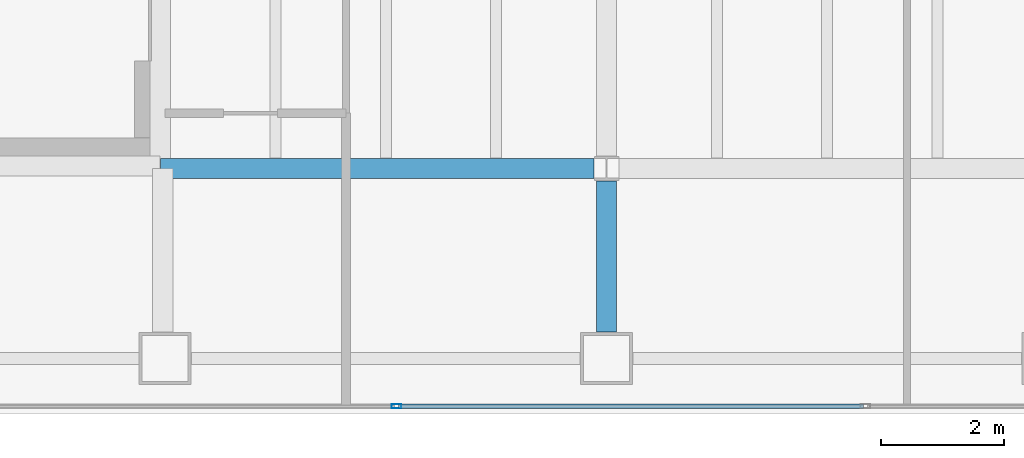
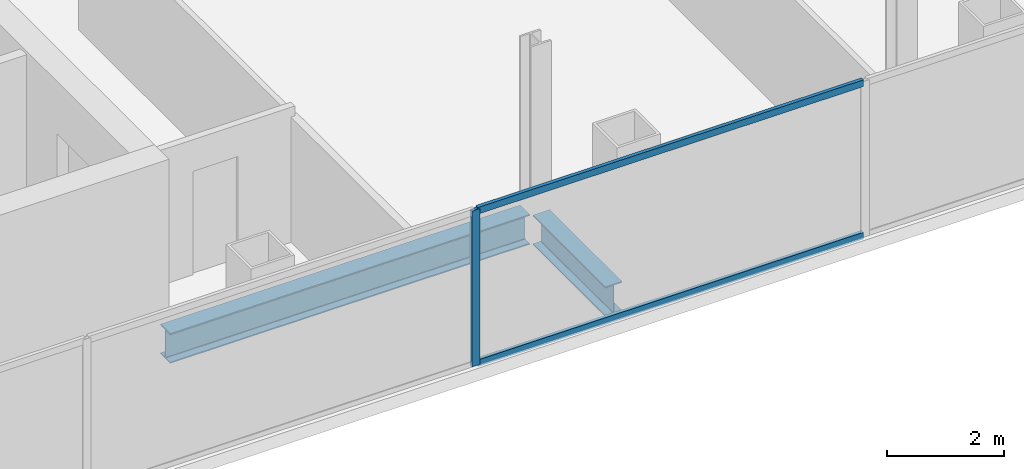
# One storey, part 4 of 23: 3 members, 2 beams, 1 element without a shape of its own.
"""IFC4 building model written with IfcOpenShell, lengths in metres."""

from ifc_helpers import new_model, si_unit, direction, frame, origin, origin_2d, place, context, subcontext, project, spatial, hollow_rectangle, i_section, extrude, material, material_profile, profile_set, type_object, element, aggregate, save


model = new_model("IFC4")

# Units and contexts
model_context = context("Model", 3, precision=1e-05, world=origin(), true_north=direction((0.0, 1.0)))
body_context = subcontext(model_context, "Body", "Model", "MODEL_VIEW")
ifc_project = project(units=[si_unit("LENGTHUNIT", "METRE"), si_unit("AREAUNIT", "SQUARE_METRE"), si_unit("VOLUMEUNIT", "CUBIC_METRE"), si_unit("PLANEANGLEUNIT", "RADIAN"), si_unit("MASSUNIT", "GRAM", prefix="KILO")], contexts=[model_context])

# Site, building, storey
site_placement = place(None, origin())
site = spatial("IfcSite", under=ifc_project, at=site_placement, CompositionType="ELEMENT")
building_placement = place(site_placement, origin())
building = spatial("IfcBuilding", under=site, at=building_placement, Name="Cobrela Telecom Tower", CompositionType="ELEMENT")
storey_placement = place(building_placement, frame((0.0, 0.0, 183.75)))
storey = spatial("IfcBuildingStorey", under=building, at=storey_placement, Name="L46", CompositionType="ELEMENT", Elevation=183.75)

# Beams
ifc_material_1 = material(Name="Steel ASTM A992 Grade 50", Category="steel")
ifc_material_profile_1 = material_profile(ifc_material_1, i_section(OverallWidth=0.327880859375, OverallDepth=0.6220703125, WebThickness=0.015380859375, FlangeThickness=0.0244140625, FilletRadius=0.014892578125, at=origin_2d()), Name="W24X131")
ifc_profile_set_1 = profile_set([ifc_material_profile_1], Name="Steel ASTM A992 Grade 50")
beam_type = type_object("IfcBeamType", Name="BM-GIRD-06", PredefinedType="USERDEFINED", material=ifc_profile_set_1)
beam_1_placement = place(storey_placement, frame((14.324951171875, 7.199951171875, -0.571044921875), z_axis=(1.0, 0.0, 0.0), x_axis=(0.0, 1.0, 0.0)))
element("IfcBeam", 1, at=beam_1_placement, inside=storey, type_object=beam_type, Name="L46 Primary Girder X07", ObjectType="GIRDER", PredefinedType="USERDEFINED", context=body_context, shape_type="SweptSolid", body=[
    extrude(i_section(OverallWidth=0.327880859375, OverallDepth=0.6220703125, WebThickness=0.015380859375, FlangeThickness=0.0244140625, FilletRadius=0.014892578125, at=origin_2d()), origin(), (0.0, 0.0, 1.0), 7.070556640625),
])
beam_2_placement = place(storey_placement, frame((21.60009765625, 4.530029296875, -0.571044921875), z_axis=(0.0, 1.0, 0.0), x_axis=(-1.0, 0.0, 0.0)))
element("IfcBeam", 2, at=beam_2_placement, inside=storey, type_object=beam_type, Name="L46 Primary Girder Y32", ObjectType="GIRDER", PredefinedType="USERDEFINED", context=body_context, shape_type="SweptSolid", body=[
    extrude(i_section(OverallWidth=0.327880859375, OverallDepth=0.6220703125, WebThickness=0.015380859375, FlangeThickness=0.0244140625, FilletRadius=0.014892578125, at=origin_2d()), origin(), (0.0, 0.0, 1.0), 2.465576171875),
])

# Curtain wall, members
ifc_material_2 = material(Name="Anodized Bronze Aluminium 6063-T6", Category="aluminium")
curtain_wall_type = type_object("IfcCurtainWallType", Name="CW-SYS-OFF-LO", PredefinedType="USERDEFINED", material=ifc_material_2)
curtain_wall_placement = place(storey_placement, origin())
curtain_wall = element("IfcCurtainWall", 3, at=curtain_wall_placement, inside=storey, type_object=curtain_wall_type, Name="L46 Unitised Bronze Curtain Wall 17", ObjectType="UNITISED CURTAIN WALL", PredefinedType="USERDEFINED")
ifc_material_profile_2 = material_profile(ifc_material_2, hollow_rectangle(XDim=0.070068359375, YDim=0.159912109375, WallThickness=0.00390625, at=origin_2d()), Name="ALU 70x160x4")
ifc_profile_set_2 = profile_set([ifc_material_profile_2], Name="Anodized Bronze Aluminium 6063-T6")
member_type_1 = type_object("IfcMemberType", Name="CW-SYS-OFF-LO-MUL", PredefinedType="MULLION", material=ifc_profile_set_2)
member_1_placement = place(storey_placement, frame((18.174072265625, 3.320068359375, 0.0), z_axis=(0.0, 0.0, 1.0), x_axis=(0.0, -1.0, 0.0)))
member_1 = element("IfcMember", 4, at=member_1_placement, type_object=member_type_1, Name="CW-OFF-LO mullion 4", PredefinedType="MULLION", context=body_context, shape_type="SweptSolid", body=[
    extrude(hollow_rectangle(XDim=0.070068359375, YDim=0.159912109375, WallThickness=0.00390625, at=origin_2d()), origin(), (0.0, 0.0, 1.0), 3.239990234375),
])
ifc_material_profile_3 = material_profile(ifc_material_2, hollow_rectangle(XDim=0.070068359375, YDim=0.139892578125, WallThickness=0.00390625, at=origin_2d()), Name="ALU 70x140x4")
ifc_profile_set_3 = profile_set([ifc_material_profile_3], Name="Anodized Bronze Aluminium 6063-T6")
member_type_2 = type_object("IfcMemberType", Name="CW-SYS-OFF-LO-TRN", PredefinedType="USERDEFINED", material=ifc_profile_set_3)
member_2_placement = place(storey_placement, frame((25.791015625, 3.320068359375, 0.034912109375), z_axis=(-1.0, 0.0, 0.0), x_axis=(0.0, -1.0, 0.0)))
member_2 = element("IfcMember", 5, at=member_2_placement, type_object=member_type_2, Name="CW-OFF-LO transom 3.1", ObjectType="TRANSOM", PredefinedType="USERDEFINED", context=body_context, shape_type="SweptSolid", body=[
    extrude(hollow_rectangle(XDim=0.070068359375, YDim=0.139892578125, WallThickness=0.00390625, at=origin_2d()), origin(), (0.0, 0.0, 1.0), 7.58203125),
])
member_3_placement = place(storey_placement, frame((25.791015625, 3.320068359375, 3.205078125), z_axis=(-1.0, 0.0, 0.0), x_axis=(0.0, -1.0, 0.0)))
member_3 = element("IfcMember", 6, at=member_3_placement, type_object=member_type_2, Name="CW-OFF-LO transom 3.2", ObjectType="TRANSOM", PredefinedType="USERDEFINED", context=body_context, shape_type="SweptSolid", body=[
    extrude(hollow_rectangle(XDim=0.070068359375, YDim=0.139892578125, WallThickness=0.00390625, at=origin_2d()), origin(), (0.0, 0.0, 1.0), 7.58203125),
])
aggregate(curtain_wall, [member_1, member_2, member_3])

save(model, "model.ifc")
